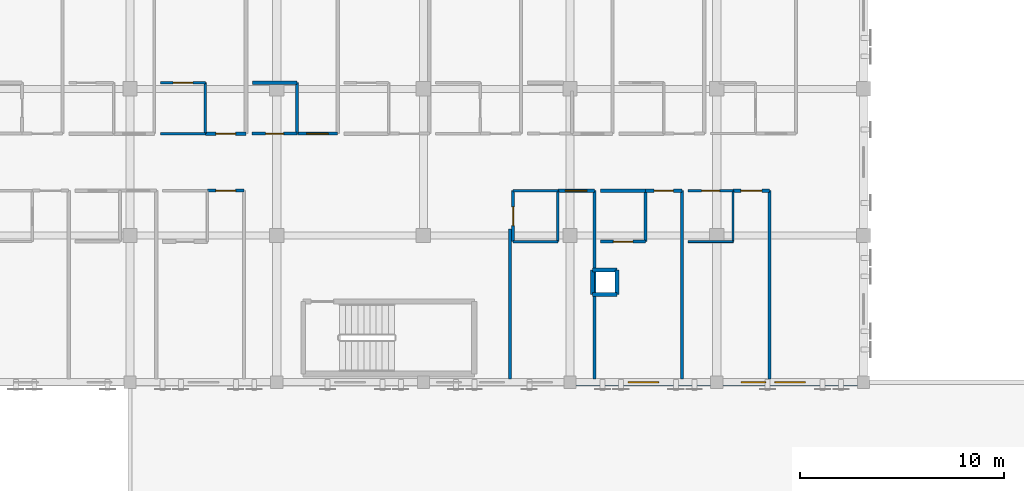
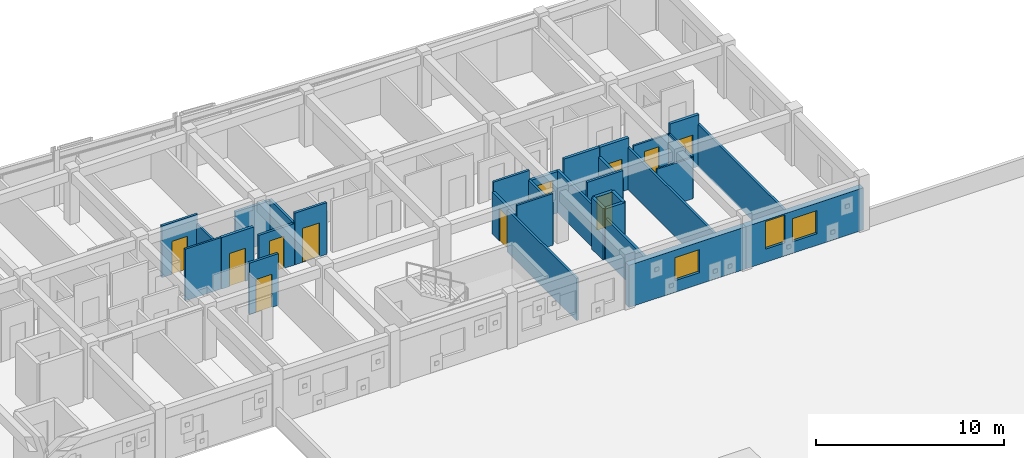
# One storey, part 44 of 50: 32 walls, 11 doors, 3 windows, 14 openings.
"""IFC4 building model written with IfcOpenShell, lengths in metres."""

from ifc_helpers import new_model, si_unit, direction, frame, frame_2d, origin, place, context, subcontext, project, spatial, rectangle, extrude, material, layer, layer_set, type_object, element, fill, save


model = new_model("IFC4")

# Units and contexts
model_context = context("Model", 3, precision=1e-05, world=origin(), true_north=direction((0.0, 1.0)))
body_context = subcontext(model_context, "Body", "Model", "MODEL_VIEW")
ifc_project = project(units=[si_unit("LENGTHUNIT", "METRE"), si_unit("AREAUNIT", "SQUARE_METRE"), si_unit("VOLUMEUNIT", "CUBIC_METRE"), si_unit("PLANEANGLEUNIT", "RADIAN"), si_unit("MASSUNIT", "GRAM", prefix="KILO")], contexts=[model_context])

# Site, building, storey
site_placement = place(None, origin())
site = spatial("IfcSite", under=ifc_project, at=site_placement, CompositionType="ELEMENT")
building_placement = place(site_placement, origin())
building = spatial("IfcBuilding", under=site, at=building_placement, Name="Carrowvane Square Congress Hotel", CompositionType="ELEMENT")
storey_placement = place(building_placement, frame((0.0, 0.0, 22.800048828125)))
storey = spatial("IfcBuildingStorey", under=building, at=storey_placement, Name="L05", CompositionType="ELEMENT", Elevation=22.800048828125)

# Wall, openings, windows
ifc_material_1 = material(Name="Glazed terracotta rainscreen", Category="masonry")
ifc_layer_1 = layer(ifc_material_1, 0.360107421875)
ifc_layer_set_1 = layer_set([ifc_layer_1], Name="Glazed terracotta rainscreen")
wall_type_1 = type_object("IfcWallType", Name="WL-EXT-TC360", PredefinedType="STANDARD", material=ifc_layer_set_1)
wall_1_placement = place(storey_placement, frame((162.800048828125, 91.800048828125, 0.0), z_axis=(0.0, 0.0, 1.0), x_axis=(-1.0, 0.0, 0.0)))
wall_1 = element("IfcWall", 1, at=wall_1_placement, inside=storey, type_object=wall_type_1, Name="L05 exterior facade wall 458", PredefinedType="STANDARD", context=body_context, shape_type="SweptSolid", body=[
    extrude(rectangle(XDim=7.199951171875, YDim=0.360107421875, at=frame_2d((3.60009765625, 0.0))), origin(), (0.0, 0.0, 1.0), 2.73486328125),
])
opening_1_placement = place(wall_1_placement, frame((2.85009765625, 0.0, 0.75)))
opening_1 = element("IfcOpeningElement", 2, at=opening_1_placement, cuts=wall_1, Name="Opening W-15", PredefinedType="OPENING", context=body_context, shape_type="SweptSolid", body=[
    extrude(rectangle(XDim=1.5, YDim=1.5, at=frame_2d((0.75, 0.75))), frame((0.0, 0.18994140625, 0.0), z_axis=(0.0, -1.0, 0.0), x_axis=(1.0, 0.0, 0.0)), (0.0, 0.0, 1.0), 0.380126953125),
])
opening_2_placement = place(wall_1_placement, frame((4.799072265625, 0.0, 0.85009765625)))
opening_2 = element("IfcOpeningElement", 3, at=opening_2_placement, cuts=wall_1, Name="Opening W-01", PredefinedType="OPENING", context=body_context, shape_type="SweptSolid", body=[
    extrude(rectangle(XDim=1.199951171875, YDim=1.800048828125, at=frame_2d((0.60009765625, 0.89990234375))), frame((0.0, 0.18994140625, 0.0), z_axis=(0.0, -1.0, 0.0), x_axis=(1.0, 0.0, 0.0)), (0.0, 0.0, 1.0), 0.380126953125),
])
ifc_material_2 = material(Name="Double-glazed low-E glass", Category="glass")
window_type_1 = type_object("IfcWindowType", Name="WIN-01", PartitioningType="SINGLE_PANEL", PredefinedType="WINDOW", material=ifc_material_2)
window_1_placement = place(opening_2_placement, origin())
window_1 = element("IfcWindow", 4, at=window_1_placement, inside=storey, type_object=window_type_1, Name="L05 guestroom daylight window L05-RM-S12", OverallHeight=1.800048828125, OverallWidth=1.199951171875, PartitioningType="SINGLE_PANEL", PredefinedType="WINDOW", context=body_context, shape_type="SweptSolid", body=[
    extrude(rectangle(XDim=1.199951171875, YDim=1.800048828125, at=frame_2d((0.60009765625, 0.89990234375))), frame((0.0, 0.030029296875, 0.0), z_axis=(0.0, -1.0, 0.0), x_axis=(1.0, 0.0, 0.0)), (0.0, 0.0, 1.0), 0.06005859375),
])
fill(opening_2, window_1)
ifc_material_3 = material(Name="Double-glazed low-E glass", Category="glass")
window_type_2 = type_object("IfcWindowType", Name="WIN-15", PartitioningType="SINGLE_PANEL", PredefinedType="WINDOW", material=ifc_material_3)
window_2_placement = place(opening_1_placement, origin())
window_2 = element("IfcWindow", 5, at=window_2_placement, inside=storey, type_object=window_type_2, Name="L05 facade window 286", OverallHeight=1.5, OverallWidth=1.5, PartitioningType="SINGLE_PANEL", PredefinedType="WINDOW", context=body_context, shape_type="SweptSolid", body=[
    extrude(rectangle(XDim=1.5, YDim=1.5, at=frame_2d((0.75, 0.75))), frame((0.0, 0.030029296875, 0.0), z_axis=(0.0, -1.0, 0.0), x_axis=(1.0, 0.0, 0.0)), (0.0, 0.0, 1.0), 0.06005859375),
])
fill(opening_1, window_2)

# Wall, opening, window
wall_2_placement = place(storey_placement, frame((155.60009765625, 91.800048828125, 0.0), z_axis=(0.0, 0.0, 1.0), x_axis=(-1.0, 0.0, 0.0)))
wall_2 = element("IfcWall", 6, at=wall_2_placement, inside=storey, type_object=wall_type_1, Name="L05 exterior facade wall 459", PredefinedType="STANDARD", context=body_context, shape_type="SweptSolid", body=[
    extrude(rectangle(XDim=7.2001953125, YDim=0.360107421875, at=frame_2d((3.60009765625, 0.0))), origin(), (0.0, 0.0, 1.0), 2.73486328125),
])
opening_3_placement = place(wall_2_placement, frame((2.85009765625, 0.0, 0.75)))
opening_3 = element("IfcOpeningElement", 7, at=opening_3_placement, cuts=wall_2, Name="Opening W-15", PredefinedType="OPENING", context=body_context, shape_type="SweptSolid", body=[
    extrude(rectangle(XDim=1.5, YDim=1.5, at=frame_2d((0.75, 0.75))), frame((0.0, 0.18994140625, 0.0), z_axis=(0.0, -1.0, 0.0), x_axis=(1.0, 0.0, 0.0)), (0.0, 0.0, 1.0), 0.380126953125),
])
window_3_placement = place(opening_3_placement, origin())
window_3 = element("IfcWindow", 8, at=window_3_placement, inside=storey, type_object=window_type_2, Name="L05 facade window 287", OverallHeight=1.5, OverallWidth=1.5, PartitioningType="SINGLE_PANEL", PredefinedType="WINDOW", context=body_context, shape_type="SweptSolid", body=[
    extrude(rectangle(XDim=1.5, YDim=1.5, at=frame_2d((0.75, 0.75))), frame((0.0, 0.030029296875, 0.0), z_axis=(0.0, -1.0, 0.0), x_axis=(1.0, 0.0, 0.0)), (0.0, 0.0, 1.0), 0.06005859375),
])
fill(opening_3, window_3)

# Walls
ifc_material_4 = material(Name="Acoustic gypsum board", Category="gypsum")
ifc_layer_2 = layer(ifc_material_4, 0.155029296875)
ifc_layer_set_2 = layer_set([ifc_layer_2], Name="Acoustic gypsum board")
wall_type_2 = type_object("IfcWallType", Name="WL-FIR-155", PredefinedType="PARTITIONING", material=ifc_layer_set_2)
for number, where, z_axis, x_axis, name in (
    (9, (152.10009765625, 101.199951171875, 0.0), (0.0, 0.0, 1.0), (0.0, -1.0, 0.0), "L05 En-suite Bathroom 0511 partition"),
    (10, (135.0, 106.5, 0.0), (0.0, 0.0, 1.0), (0.0, -1.0, 0.0), "L05 En-suite Bathroom 0530 partition"),
):
    element("IfcWall", number, at=place(storey_placement, frame(where, z_axis=z_axis, x_axis=x_axis)), inside=storey, type_object=wall_type_2, Name=name, PredefinedType="PARTITIONING", context=body_context, shape_type="SweptSolid", body=[
        extrude(rectangle(XDim=2.5, YDim=0.155029296875, at=frame_2d((1.25, 0.0))), origin(), (0.0, 0.0, 1.0), 2.73486328125),
    ])

# Wall, opening, door
wall_3_placement = place(storey_placement, frame((136.989990234375, 104.0, 0.0), z_axis=(0.0, 0.0, 1.0), x_axis=(-1.0, 0.0, 0.0)))
wall_3 = element("IfcWall", 11, at=wall_3_placement, inside=storey, type_object=wall_type_2, Name="L05 Parkview Guest Bedroom 0530 partition", PredefinedType="PARTITIONING", context=body_context, shape_type="SweptSolid", body=[
    extrude(rectangle(XDim=1.97998046875, YDim=0.155029296875, at=frame_2d((0.989990234375, 0.0))), origin(), (0.0, 0.0, 1.0), 3.349853515625),
])
opening_4_placement = place(wall_3_placement, frame((0.4599609375, 0.0, 0.0)))
opening_4 = element("IfcOpeningElement", 12, at=opening_4_placement, cuts=wall_3, Name="Opening FD-09", PredefinedType="OPENING", context=body_context, shape_type="SweptSolid", body=[
    extrude(rectangle(XDim=1.06005859375, YDim=2.199951171875, at=frame_2d((0.530029296875, 1.10009765625))), frame((0.0, 0.08740234375, 0.0), z_axis=(0.0, -1.0, 0.0), x_axis=(1.0, 0.0, 0.0)), (0.0, 0.0, 1.0), 0.175048828125),
])
ifc_material_5 = material(Name="European oak timber", Category="wood")
door_type_1 = type_object("IfcDoorType", Name="DR-FD30-1060x2200", OperationType="NOTDEFINED", PredefinedType="DOOR", material=ifc_material_5)
door_1_placement = place(opening_4_placement, origin())
door_1 = element("IfcDoor", 13, at=door_1_placement, inside=storey, type_object=door_type_1, Name="L05 Parkview Guest Bedroom 0530 entrance door", OperationType="SINGLE_SWING_RIGHT", OverallHeight=2.199951171875, OverallWidth=1.06005859375, PredefinedType="DOOR", context=body_context, shape_type="SweptSolid", body=[
    extrude(rectangle(XDim=1.06005859375, YDim=2.199951171875, at=frame_2d((0.530029296875, 1.10009765625))), frame((0.0, 0.02490234375, 0.0), z_axis=(0.0, -1.0, 0.0), x_axis=(1.0, 0.0, 0.0)), (0.0, 0.0, 1.0), 0.050048828125),
])
fill(opening_4, door_1)

# Wall
ifc_material_6 = material(Name="Acoustic gypsum board", Category="gypsum")
ifc_layer_3 = layer(ifc_material_6, 0.169921875)
ifc_layer_set_3 = layer_set([ifc_layer_3], Name="Acoustic gypsum board")
wall_type_3 = type_object("IfcWallType", Name="WL-FIR-170", PredefinedType="PARTITIONING", material=ifc_layer_set_3)
wall_4_placement = place(storey_placement, frame((149.89990234375, 101.199951171875, 0.0), z_axis=(0.0, 0.0, 1.0), x_axis=(1.0, 0.0, 0.0)))
element("IfcWall", 14, at=wall_4_placement, inside=storey, type_object=wall_type_3, Name="L05 En-suite Bathroom 0511 partition", PredefinedType="PARTITIONING", context=body_context, shape_type="SweptSolid", body=[
    extrude(rectangle(XDim=2.2001953125, YDim=0.169921875, at=frame_2d((1.10009765625, 0.0))), origin(), (0.0, 0.0, 1.0), 3.349853515625),
])

# Wall, opening, door
wall_5_placement = place(storey_placement, frame((132.489990234375, 104.0, 0.0), z_axis=(0.0, 0.0, 1.0), x_axis=(-1.0, 0.0, 0.0)))
wall_5 = element("IfcWall", 15, at=wall_5_placement, inside=storey, type_object=wall_type_3, Name="L05 Parkview Guest Bedroom 0529 partition", PredefinedType="PARTITIONING", context=body_context, shape_type="SweptSolid", body=[
    extrude(rectangle(XDim=1.97998046875, YDim=0.169921875, at=frame_2d((0.989990234375, 0.0))), origin(), (0.0, 0.0, 1.0), 3.349853515625),
])
opening_5_placement = place(wall_5_placement, frame((0.5, 0.0, 0.0)))
opening_5 = element("IfcOpeningElement", 16, at=opening_5_placement, cuts=wall_5, Name="Opening FD-07", PredefinedType="OPENING", context=body_context, shape_type="SweptSolid", body=[
    extrude(rectangle(XDim=0.97998046875, YDim=2.14990234375, at=frame_2d((0.489990234375, 1.074951171875))), frame((0.0, 0.094970703125, 0.0), z_axis=(0.0, -1.0, 0.0), x_axis=(1.0, 0.0, 0.0)), (0.0, 0.0, 1.0), 0.18994140625),
])
ifc_material_7 = material(Name="European oak timber", Category="wood")
door_type_2 = type_object("IfcDoorType", Name="DR-FD30-0980x2150", OperationType="NOTDEFINED", PredefinedType="DOOR", material=ifc_material_7)
door_2_placement = place(opening_5_placement, origin())
door_2 = element("IfcDoor", 17, at=door_2_placement, inside=storey, type_object=door_type_2, Name="L05 Parkview Guest Bedroom 0529 entrance door", OperationType="SINGLE_SWING_RIGHT", OverallHeight=2.14990234375, OverallWidth=0.97998046875, PredefinedType="DOOR", context=body_context, shape_type="SweptSolid", body=[
    extrude(rectangle(XDim=0.97998046875, YDim=2.14990234375, at=frame_2d((0.489990234375, 1.074951171875))), frame((0.0, 0.02490234375, 0.0), z_axis=(0.0, -1.0, 0.0), x_axis=(1.0, 0.0, 0.0)), (0.0, 0.0, 1.0), 0.050048828125),
])
fill(opening_5, door_2)

# Wall
wall_6_placement = place(storey_placement, frame((132.800048828125, 106.5, 0.0), z_axis=(0.0, 0.0, 1.0), x_axis=(1.0, 0.0, 0.0)))
element("IfcWall", 18, at=wall_6_placement, inside=storey, type_object=wall_type_3, Name="L05 En-suite Bathroom 0530 partition", PredefinedType="PARTITIONING", context=body_context, shape_type="SweptSolid", body=[
    extrude(rectangle(XDim=2.199951171875, YDim=0.169921875, at=frame_2d((1.10009765625, 0.0))), origin(), (0.0, 0.0, 1.0), 2.68505859375),
])

# Wall, opening, door
ifc_material_8 = material(Name="Acoustic gypsum board", Category="gypsum")
ifc_layer_4 = layer(ifc_material_8, 0.18505859375)
ifc_layer_set_4 = layer_set([ifc_layer_4], Name="Acoustic gypsum board")
wall_type_4 = type_object("IfcWallType", Name="WL-FIR-185", PredefinedType="PARTITIONING", material=ifc_layer_set_4)
wall_7_placement = place(storey_placement, frame((147.81005859375, 101.199951171875, 0.0), z_axis=(0.0, 0.0, 1.0), x_axis=(1.0, 0.0, 0.0)))
wall_7 = element("IfcWall", 19, at=wall_7_placement, inside=storey, type_object=wall_type_4, Name="L05 Hotel Guest Bedroom 0510 partition", PredefinedType="PARTITIONING", context=body_context, shape_type="SweptSolid", body=[
    extrude(rectangle(XDim=1.780029296875, YDim=0.18505859375, at=frame_2d((0.89013671875, 0.0))), origin(), (0.0, 0.0, 1.0), 2.68505859375),
])
opening_6_placement = place(wall_7_placement, frame((0.360107421875, 0.0, 0.0)))
opening_6 = element("IfcOpeningElement", 20, at=opening_6_placement, cuts=wall_7, Name="Opening FD-09", PredefinedType="OPENING", context=body_context, shape_type="SweptSolid", body=[
    extrude(rectangle(XDim=1.06005859375, YDim=2.199951171875, at=frame_2d((0.530029296875, 1.10009765625))), frame((0.0, 0.1025390625, 0.0), z_axis=(0.0, -1.0, 0.0), x_axis=(1.0, 0.0, 0.0)), (0.0, 0.0, 1.0), 0.205078125),
])
door_3_placement = place(opening_6_placement, origin())
door_3 = element("IfcDoor", 21, at=door_3_placement, inside=storey, type_object=door_type_1, Name="L05 Hotel Guest Bedroom 0510 entrance door", OperationType="SINGLE_SWING_RIGHT", OverallHeight=2.199951171875, OverallWidth=1.06005859375, PredefinedType="DOOR", context=body_context, shape_type="SweptSolid", body=[
    extrude(rectangle(XDim=1.06005859375, YDim=2.199951171875, at=frame_2d((0.530029296875, 1.10009765625))), frame((0.0, 0.02490234375, 0.0), z_axis=(0.0, -1.0, 0.0), x_axis=(1.0, 0.0, 0.0)), (0.0, 0.0, 1.0), 0.050048828125),
])
fill(opening_6, door_3)

wall_8_placement = place(storey_placement, frame((152.110107421875, 101.199951171875, 0.0), z_axis=(0.0, 0.0, 1.0), x_axis=(1.0, 0.0, 0.0)))
wall_8 = element("IfcWall", 22, at=wall_8_placement, inside=storey, type_object=wall_type_4, Name="L05 Hotel Guest Bedroom 0511 partition", PredefinedType="PARTITIONING", context=body_context, shape_type="SweptSolid", body=[
    extrude(rectangle(XDim=1.77978515625, YDim=0.18505859375, at=frame_2d((0.889892578125, 0.0))), origin(), (0.0, 0.0, 1.0), 3.349853515625),
])
opening_7_placement = place(wall_8_placement, frame((0.4150390625, 0.0, 0.0)))
opening_7 = element("IfcOpeningElement", 23, at=opening_7_placement, cuts=wall_8, Name="Opening FD-06", PredefinedType="OPENING", context=body_context, shape_type="SweptSolid", body=[
    extrude(rectangle(XDim=0.949951171875, YDim=2.10009765625, at=frame_2d((0.47509765625, 1.050048828125))), frame((0.0, 0.1025390625, 0.0), z_axis=(0.0, -1.0, 0.0), x_axis=(1.0, 0.0, 0.0)), (0.0, 0.0, 1.0), 0.205078125),
])
ifc_material_9 = material(Name="European oak timber", Category="wood")
door_type_3 = type_object("IfcDoorType", Name="DR-FD30-0950x2100", OperationType="NOTDEFINED", PredefinedType="DOOR", material=ifc_material_9)
door_4_placement = place(opening_7_placement, origin())
door_4 = element("IfcDoor", 24, at=door_4_placement, inside=storey, type_object=door_type_3, Name="L05 Hotel Guest Bedroom 0511 entrance door", OperationType="SINGLE_SWING_RIGHT", OverallHeight=2.10009765625, OverallWidth=0.949951171875, PredefinedType="DOOR", context=body_context, shape_type="SweptSolid", body=[
    extrude(rectangle(XDim=0.949951171875, YDim=2.10009765625, at=frame_2d((0.47509765625, 1.050048828125))), frame((0.0, 0.02490234375, 0.0), z_axis=(0.0, -1.0, 0.0), x_axis=(1.0, 0.0, 0.0)), (0.0, 0.0, 1.0), 0.050048828125),
])
fill(opening_7, door_4)

wall_9_placement = place(storey_placement, frame((156.409912109375, 101.199951171875, 0.0), z_axis=(0.0, 0.0, 1.0), x_axis=(1.0, 0.0, 0.0)))
wall_9 = element("IfcWall", 25, at=wall_9_placement, inside=storey, type_object=wall_type_4, Name="L05 Hotel Guest Bedroom 0512 partition", PredefinedType="PARTITIONING", context=body_context, shape_type="SweptSolid", body=[
    extrude(rectangle(XDim=1.780029296875, YDim=0.18505859375, at=frame_2d((0.89013671875, 0.0))), origin(), (0.0, 0.0, 1.0), 3.349853515625),
])
opening_8_placement = place(wall_9_placement, frame((0.3798828125, 0.0, 0.0)))
opening_8 = element("IfcOpeningElement", 26, at=opening_8_placement, cuts=wall_9, Name="Opening FD-08", PredefinedType="OPENING", context=body_context, shape_type="SweptSolid", body=[
    extrude(rectangle(XDim=1.02001953125, YDim=2.14990234375, at=frame_2d((0.510009765625, 1.074951171875))), frame((0.0, 0.1025390625, 0.0), z_axis=(0.0, -1.0, 0.0), x_axis=(1.0, 0.0, 0.0)), (0.0, 0.0, 1.0), 0.205078125),
])
ifc_material_10 = material(Name="European oak timber", Category="wood")
door_type_4 = type_object("IfcDoorType", Name="DR-FD30-1020x2150", OperationType="NOTDEFINED", PredefinedType="DOOR", material=ifc_material_10)
door_5_placement = place(opening_8_placement, origin())
door_5 = element("IfcDoor", 27, at=door_5_placement, inside=storey, type_object=door_type_4, Name="L05 Hotel Guest Bedroom 0512 entrance door", OperationType="SINGLE_SWING_RIGHT", OverallHeight=2.14990234375, OverallWidth=1.02001953125, PredefinedType="DOOR", context=body_context, shape_type="SweptSolid", body=[
    extrude(rectangle(XDim=1.02001953125, YDim=2.14990234375, at=frame_2d((0.510009765625, 1.074951171875))), frame((0.0, 0.02490234375, 0.0), z_axis=(0.0, -1.0, 0.0), x_axis=(1.0, 0.0, 0.0)), (0.0, 0.0, 1.0), 0.050048828125),
])
fill(opening_8, door_5)

# Walls
ifc_material_11 = material(Name="Standing-seam zinc cladding", Category="metal")
ifc_layer_5 = layer(ifc_material_11, 0.195068359375)
ifc_layer_set_5 = layer_set([ifc_layer_5], Name="Standing-seam zinc cladding")
wall_type_5 = type_object("IfcWallType", Name="WL-PAR-195", PredefinedType="PARAPET", material=ifc_layer_set_5)
for number, where, z_axis, x_axis, name in (
    (28, (149.5, 96.10009765625, 0.0), (0.0, 0.0, 1.0), (1.0, 0.0, 0.0), "L05 service riser RSR-V5E enclosure S"),
    (29, (150.699951171875, 96.10009765625, 0.0), (0.0, 0.0, 1.0), (0.0, 1.0, 0.0), "L05 service riser RSR-V5E enclosure E"),
    (30, (150.699951171875, 97.300048828125, 0.0), (0.0, 0.0, 1.0), (-1.0, 0.0, 0.0), "L05 service riser RSR-V5E enclosure N"),
    (31, (149.5, 97.300048828125, 0.0), (0.0, 0.0, 1.0), (0.0, -1.0, 0.0), "L05 service riser RSR-V5E enclosure W"),
):
    element("IfcWall", number, at=place(storey_placement, frame(where, z_axis=z_axis, x_axis=x_axis)), inside=storey, type_object=wall_type_5, Name=name, PredefinedType="PARAPET", context=body_context, shape_type="SweptSolid", body=[
        extrude(rectangle(XDim=1.199951171875, YDim=0.195068359375, at=frame_2d((0.60009765625, 0.0))), origin(), (0.0, 0.0, 1.0), 3.349853515625),
    ])
ifc_material_12 = material(Name="Acoustic gypsum board", Category="gypsum")
ifc_layer_6 = layer(ifc_material_12, 0.097900390625)
ifc_layer_set_6 = layer_set([ifc_layer_6], Name="Acoustic gypsum board")
wall_type_6 = type_object("IfcWallType", Name="WL-PRT-098", PredefinedType="PARTITIONING", material=ifc_layer_set_6)
wall_10_placement = place(storey_placement, frame((156.39990234375, 98.699951171875, 0.0), z_axis=(0.0, 0.0, 1.0), x_axis=(-1.0, 0.0, 0.0)))
element("IfcWall", 32, at=wall_10_placement, inside=storey, type_object=wall_type_6, Name="L05 En-suite Bathroom 0512 partition", PredefinedType="PARTITIONING", context=body_context, shape_type="SweptSolid", body=[
    extrude(rectangle(XDim=2.199951171875, YDim=0.097900390625, at=frame_2d((1.10009765625, 0.0))), origin(), (0.0, 0.0, 1.0), 2.68505859375),
])
ifc_material_13 = material(Name="Acoustic gypsum board", Category="gypsum")
ifc_layer_7 = layer(ifc_material_13, 0.10791015625)
ifc_layer_set_7 = layer_set([ifc_layer_7], Name="Acoustic gypsum board")
wall_type_7 = type_object("IfcWallType", Name="WL-PRT-108", PredefinedType="PARTITIONING", material=ifc_layer_set_7)
wall_11_placement = place(storey_placement, frame((156.39990234375, 101.199951171875, 0.0), z_axis=(0.0, 0.0, 1.0), x_axis=(0.0, -1.0, 0.0)))
element("IfcWall", 33, at=wall_11_placement, inside=storey, type_object=wall_type_7, Name="L05 En-suite Bathroom 0512 partition", PredefinedType="PARTITIONING", context=body_context, shape_type="SweptSolid", body=[
    extrude(rectangle(XDim=2.5, YDim=0.10791015625, at=frame_2d((1.25, 0.0))), origin(), (0.0, 0.0, 1.0), 2.73486328125),
])
ifc_material_14 = material(Name="Acoustic gypsum board", Category="gypsum")
ifc_layer_8 = layer(ifc_material_14, 0.117919921875)
ifc_layer_set_8 = layer_set([ifc_layer_8], Name="Acoustic gypsum board")
wall_type_8 = type_object("IfcWallType", Name="WL-PRT-118", PredefinedType="PARTITIONING", material=ifc_layer_set_8)
wall_12_placement = place(storey_placement, frame((147.800048828125, 98.699951171875, 0.0), z_axis=(0.0, 0.0, 1.0), x_axis=(-1.0, 0.0, 0.0)))
element("IfcWall", 34, at=wall_12_placement, inside=storey, type_object=wall_type_8, Name="L05 En-suite Bathroom 0510 partition", PredefinedType="PARTITIONING", context=body_context, shape_type="SweptSolid", body=[
    extrude(rectangle(XDim=2.199951171875, YDim=0.117919921875, at=frame_2d((1.10009765625, 0.0))), origin(), (0.0, 0.0, 1.0), 3.349853515625),
])

# Wall, opening, door
wall_13_placement = place(storey_placement, frame((154.199951171875, 101.199951171875, 0.0), z_axis=(0.0, 0.0, 1.0), x_axis=(1.0, 0.0, 0.0)))
wall_13 = element("IfcWall", 35, at=wall_13_placement, inside=storey, type_object=wall_type_8, Name="L05 En-suite Bathroom 0512 partition", PredefinedType="PARTITIONING", context=body_context, shape_type="SweptSolid", body=[
    extrude(rectangle(XDim=2.199951171875, YDim=0.117919921875, at=frame_2d((1.10009765625, 0.0))), origin(), (0.0, 0.0, 1.0), 2.68505859375),
])
opening_9_placement = place(wall_13_placement, frame((0.655029296875, 0.0, 0.0)))
opening_9 = element("IfcOpeningElement", 36, at=opening_9_placement, cuts=wall_13, Name="Opening ID-16", PredefinedType="OPENING", context=body_context, shape_type="SweptSolid", body=[
    extrude(rectangle(XDim=0.889892578125, YDim=2.090087890625, at=frame_2d((0.44482421875, 1.044921875))), frame((0.0, 0.06884765625, 0.0), z_axis=(0.0, -1.0, 0.0), x_axis=(1.0, 0.0, 0.0)), (0.0, 0.0, 1.0), 0.137939453125),
])
ifc_material_15 = material(Name="European oak timber", Category="wood")
door_type_5 = type_object("IfcDoorType", Name="DR-INT-0890x2090", OperationType="NOTDEFINED", PredefinedType="DOOR", material=ifc_material_15)
door_6_placement = place(opening_9_placement, origin())
door_6 = element("IfcDoor", 37, at=door_6_placement, inside=storey, type_object=door_type_5, Name="L05 En-suite Bathroom 0512 door", OperationType="SINGLE_SWING_LEFT", OverallHeight=2.090087890625, OverallWidth=0.889892578125, PredefinedType="DOOR", context=body_context, shape_type="SweptSolid", body=[
    extrude(rectangle(XDim=0.889892578125, YDim=2.090087890625, at=frame_2d((0.44482421875, 1.044921875))), frame((0.0, 0.02490234375, 0.0), z_axis=(0.0, -1.0, 0.0), x_axis=(1.0, 0.0, 0.0)), (0.0, 0.0, 1.0), 0.050048828125),
])
fill(opening_9, door_6)

# Walls
wall_14_placement = place(storey_placement, frame((130.5, 104.0, 0.0), z_axis=(0.0, 0.0, 1.0), x_axis=(-1.0, 0.0, 0.0)))
element("IfcWall", 38, at=wall_14_placement, inside=storey, type_object=wall_type_8, Name="L05 En-suite Bathroom 0529 partition", PredefinedType="PARTITIONING", context=body_context, shape_type="SweptSolid", body=[
    extrude(rectangle(XDim=2.199951171875, YDim=0.117919921875, at=frame_2d((1.10009765625, 0.0))), origin(), (0.0, 0.0, 1.0), 3.349853515625),
])
ifc_material_16 = material(Name="Acoustic gypsum board", Category="gypsum")
ifc_layer_9 = layer(ifc_material_16, 0.1279296875)
ifc_layer_set_9 = layer_set([ifc_layer_9], Name="Acoustic gypsum board")
wall_type_9 = type_object("IfcWallType", Name="WL-PRT-128", PredefinedType="PARTITIONING", material=ifc_layer_set_9)
for number, where, z_axis, x_axis, name in (
    (39, (147.800048828125, 101.199951171875, 0.0), (0.0, 0.0, 1.0), (0.0, -1.0, 0.0), "L05 En-suite Bathroom 0510 partition"),
    (40, (130.5, 106.5, 0.0), (0.0, 0.0, 1.0), (0.0, -1.0, 0.0), "L05 En-suite Bathroom 0529 partition"),
):
    element("IfcWall", number, at=place(storey_placement, frame(where, z_axis=z_axis, x_axis=x_axis)), inside=storey, type_object=wall_type_9, Name=name, PredefinedType="PARTITIONING", context=body_context, shape_type="SweptSolid", body=[
        extrude(rectangle(XDim=2.5, YDim=0.1279296875, at=frame_2d((1.25, 0.0))), origin(), (0.0, 0.0, 1.0), 2.73486328125),
    ])
ifc_material_17 = material(Name="Acoustic gypsum board", Category="gypsum")
ifc_layer_10 = layer(ifc_material_17, 0.137939453125)
ifc_layer_set_10 = layer_set([ifc_layer_10], Name="Acoustic gypsum board")
wall_type_10 = type_object("IfcWallType", Name="WL-PRT-138", PredefinedType="PARTITIONING", material=ifc_layer_set_10)
wall_15_placement = place(storey_placement, frame((145.60009765625, 101.199951171875, 0.0), z_axis=(0.0, 0.0, 1.0), x_axis=(1.0, 0.0, 0.0)))
element("IfcWall", 41, at=wall_15_placement, inside=storey, type_object=wall_type_10, Name="L05 En-suite Bathroom 0510 partition", PredefinedType="PARTITIONING", context=body_context, shape_type="SweptSolid", body=[
    extrude(rectangle(XDim=2.199951171875, YDim=0.137939453125, at=frame_2d((1.10009765625, 0.0))), origin(), (0.0, 0.0, 1.0), 3.349853515625),
])
wall_16_placement = place(storey_placement, frame((145.449951171875, 91.9599609375, 0.0), z_axis=(0.0, 0.0, 1.0), x_axis=(0.0, 1.0, 0.0)))
element("IfcWall", 42, at=wall_16_placement, inside=storey, type_object=wall_type_10, Name="L05 Hotel Guest Bedroom 0510 partition", PredefinedType="PARTITIONING", context=body_context, shape_type="SweptSolid", body=[
    extrude(rectangle(XDim=7.35009765625, YDim=0.137939453125, at=frame_2d((3.675048828125, 0.0))), origin(), (0.0, 0.0, 1.0), 2.73486328125),
])
for number, where, z_axis, x_axis, name in (
    (43, (153.889892578125, 101.199951171875, 0.0), (0.0, 0.0, 1.0), (0.0, -1.0, 0.0), "L05 Hotel Guest Bedroom 0511 partition"),
    (44, (158.18994140625, 101.199951171875, 0.0), (0.0, 0.0, 1.0), (0.0, -1.0, 0.0), "L05 Hotel Guest Bedroom 0512 partition"),
):
    element("IfcWall", number, at=place(storey_placement, frame(where, z_axis=z_axis, x_axis=x_axis)), inside=storey, type_object=wall_type_10, Name=name, PredefinedType="PARTITIONING", context=body_context, shape_type="SweptSolid", body=[
        extrude(rectangle(XDim=9.239990234375, YDim=0.137939453125, at=frame_2d((4.6201171875, 0.0))), origin(), (0.0, 0.0, 1.0), 2.73486328125),
    ])

# Wall, opening, door
wall_17_placement = place(storey_placement, frame((128.300048828125, 106.5, 0.0), z_axis=(0.0, 0.0, 1.0), x_axis=(1.0, 0.0, 0.0)))
wall_17 = element("IfcWall", 45, at=wall_17_placement, inside=storey, type_object=wall_type_10, Name="L05 En-suite Bathroom 0529 partition", PredefinedType="PARTITIONING", context=body_context, shape_type="SweptSolid", body=[
    extrude(rectangle(XDim=2.199951171875, YDim=0.137939453125, at=frame_2d((1.10009765625, 0.0))), origin(), (0.0, 0.0, 1.0), 3.349853515625),
])
opening_10_placement = place(wall_17_placement, frame((0.6201171875, 0.0, 0.0)))
opening_10 = element("IfcOpeningElement", 46, at=opening_10_placement, cuts=wall_17, Name="Opening ID-05", PredefinedType="OPENING", context=body_context, shape_type="SweptSolid", body=[
    extrude(rectangle(XDim=0.9599609375, YDim=2.139892578125, at=frame_2d((0.47998046875, 1.06982421875))), frame((0.0, 0.078857421875, 0.0), z_axis=(0.0, -1.0, 0.0), x_axis=(1.0, 0.0, 0.0)), (0.0, 0.0, 1.0), 0.157958984375),
])
ifc_material_18 = material(Name="European oak timber", Category="wood")
door_type_6 = type_object("IfcDoorType", Name="DR-INT-0960x2140", OperationType="NOTDEFINED", PredefinedType="DOOR", material=ifc_material_18)
door_7_placement = place(opening_10_placement, origin())
door_7 = element("IfcDoor", 47, at=door_7_placement, inside=storey, type_object=door_type_6, Name="L05 En-suite Bathroom 0529 door", OperationType="SINGLE_SWING_LEFT", OverallHeight=2.139892578125, OverallWidth=0.9599609375, PredefinedType="DOOR", context=body_context, shape_type="SweptSolid", body=[
    extrude(rectangle(XDim=0.9599609375, YDim=2.139892578125, at=frame_2d((0.47998046875, 1.06982421875))), frame((0.0, 0.02490234375, 0.0), z_axis=(0.0, -1.0, 0.0), x_axis=(1.0, 0.0, 0.0)), (0.0, 0.0, 1.0), 0.050048828125),
])
fill(opening_10, door_7)

ifc_material_19 = material(Name="Acoustic gypsum board", Category="gypsum")
ifc_layer_11 = layer(ifc_material_19, 0.14794921875)
ifc_layer_set_11 = layer_set([ifc_layer_11], Name="Acoustic gypsum board")
wall_type_11 = type_object("IfcWallType", Name="WL-PRT-148", PredefinedType="PARTITIONING", material=ifc_layer_set_11)
wall_18_placement = place(storey_placement, frame((130.610107421875, 101.199951171875, 0.0), z_axis=(0.0, 0.0, 1.0), x_axis=(1.0, 0.0, 0.0)))
wall_18 = element("IfcWall", 48, at=wall_18_placement, inside=storey, type_object=wall_type_11, Name="L05 Hotel Guest Bedroom 0509 partition", PredefinedType="PARTITIONING", context=body_context, shape_type="SweptSolid", body=[
    extrude(rectangle(XDim=1.77978515625, YDim=0.14794921875, at=frame_2d((0.889892578125, 0.0))), origin(), (0.0, 0.0, 1.0), 3.349853515625),
])
opening_11_placement = place(wall_18_placement, frame((0.39990234375, 0.0, 0.0)))
opening_11 = element("IfcOpeningElement", 49, at=opening_11_placement, cuts=wall_18, Name="Opening FD-07", PredefinedType="OPENING", context=body_context, shape_type="SweptSolid", body=[
    extrude(rectangle(XDim=0.97998046875, YDim=2.14990234375, at=frame_2d((0.489990234375, 1.074951171875))), frame((0.0, 0.083984375, 0.0), z_axis=(0.0, -1.0, 0.0), x_axis=(1.0, 0.0, 0.0)), (0.0, 0.0, 1.0), 0.16796875),
])
door_8_placement = place(opening_11_placement, origin())
door_8 = element("IfcDoor", 50, at=door_8_placement, inside=storey, type_object=door_type_2, Name="L05 Hotel Guest Bedroom 0509 entrance door", OperationType="SINGLE_SWING_RIGHT", OverallHeight=2.14990234375, OverallWidth=0.97998046875, PredefinedType="DOOR", context=body_context, shape_type="SweptSolid", body=[
    extrude(rectangle(XDim=0.97998046875, YDim=2.14990234375, at=frame_2d((0.489990234375, 1.074951171875))), frame((0.0, 0.02490234375, 0.0), z_axis=(0.0, -1.0, 0.0), x_axis=(1.0, 0.0, 0.0)), (0.0, 0.0, 1.0), 0.050048828125),
])
fill(opening_11, door_8)

wall_19_placement = place(storey_placement, frame((145.60009765625, 98.699951171875, 0.0), z_axis=(0.0, 0.0, 1.0), x_axis=(0.0, 1.0, 0.0)))
wall_19 = element("IfcWall", 51, at=wall_19_placement, inside=storey, type_object=wall_type_11, Name="L05 En-suite Bathroom 0510 partition", PredefinedType="PARTITIONING", context=body_context, shape_type="SweptSolid", body=[
    extrude(rectangle(XDim=2.5, YDim=0.14794921875, at=frame_2d((1.25, 0.0))), origin(), (0.0, 0.0, 1.0), 2.73486328125),
])
opening_12_placement = place(wall_19_placement, frame((0.7900390625, 0.0, 0.0)))
opening_12 = element("IfcOpeningElement", 52, at=opening_12_placement, cuts=wall_19, Name="Opening ID-03", PredefinedType="OPENING", context=body_context, shape_type="SweptSolid", body=[
    extrude(rectangle(XDim=0.919921875, YDim=2.10009765625, at=frame_2d((0.4599609375, 1.050048828125))), frame((0.0, 0.083984375, 0.0), z_axis=(0.0, -1.0, 0.0), x_axis=(1.0, 0.0, 0.0)), (0.0, 0.0, 1.0), 0.16796875),
])
ifc_material_20 = material(Name="European oak timber", Category="wood")
door_type_7 = type_object("IfcDoorType", Name="DR-INT-0920x2100", OperationType="NOTDEFINED", PredefinedType="DOOR", material=ifc_material_20)
door_9_placement = place(opening_12_placement, origin())
door_9 = element("IfcDoor", 53, at=door_9_placement, inside=storey, type_object=door_type_7, Name="L05 En-suite Bathroom 0510 door", OperationType="SINGLE_SWING_LEFT", OverallHeight=2.10009765625, OverallWidth=0.919921875, PredefinedType="DOOR", context=body_context, shape_type="SweptSolid", body=[
    extrude(rectangle(XDim=0.919921875, YDim=2.10009765625, at=frame_2d((0.4599609375, 1.050048828125))), frame((0.0, 0.02490234375, 0.0), z_axis=(0.0, -1.0, 0.0), x_axis=(1.0, 0.0, 0.0)), (0.0, 0.0, 1.0), 0.050048828125),
])
fill(opening_12, door_9)

# Wall
wall_20_placement = place(storey_placement, frame((149.590087890625, 101.199951171875, 0.0), z_axis=(0.0, 0.0, 1.0), x_axis=(0.0, -1.0, 0.0)))
element("IfcWall", 54, at=wall_20_placement, inside=storey, type_object=wall_type_11, Name="L05 Hotel Guest Bedroom 0510 partition", PredefinedType="PARTITIONING", context=body_context, shape_type="SweptSolid", body=[
    extrude(rectangle(XDim=9.239990234375, YDim=0.14794921875, at=frame_2d((4.6201171875, 0.0))), origin(), (0.0, 0.0, 1.0), 2.73486328125),
])

# Wall, opening, door
wall_21_placement = place(storey_placement, frame((152.10009765625, 98.699951171875, 0.0), z_axis=(0.0, 0.0, 1.0), x_axis=(-1.0, 0.0, 0.0)))
wall_21 = element("IfcWall", 55, at=wall_21_placement, inside=storey, type_object=wall_type_11, Name="L05 En-suite Bathroom 0511 partition", PredefinedType="PARTITIONING", context=body_context, shape_type="SweptSolid", body=[
    extrude(rectangle(XDim=2.2001953125, YDim=0.14794921875, at=frame_2d((1.10009765625, 0.0))), origin(), (0.0, 0.0, 1.0), 3.349853515625),
])
opening_13_placement = place(wall_21_placement, frame((0.6201171875, 0.0, 0.0)))
opening_13 = element("IfcOpeningElement", 56, at=opening_13_placement, cuts=wall_21, Name="Opening ID-05", PredefinedType="OPENING", context=body_context, shape_type="SweptSolid", body=[
    extrude(rectangle(XDim=0.9599609375, YDim=2.139892578125, at=frame_2d((0.47998046875, 1.06982421875))), frame((0.0, 0.083984375, 0.0), z_axis=(0.0, -1.0, 0.0), x_axis=(1.0, 0.0, 0.0)), (0.0, 0.0, 1.0), 0.16796875),
])
door_10_placement = place(opening_13_placement, origin())
door_10 = element("IfcDoor", 57, at=door_10_placement, inside=storey, type_object=door_type_6, Name="L05 En-suite Bathroom 0511 door", OperationType="SINGLE_SWING_LEFT", OverallHeight=2.139892578125, OverallWidth=0.9599609375, PredefinedType="DOOR", context=body_context, shape_type="SweptSolid", body=[
    extrude(rectangle(XDim=0.9599609375, YDim=2.139892578125, at=frame_2d((0.47998046875, 1.06982421875))), frame((0.0, 0.02490234375, 0.0), z_axis=(0.0, -1.0, 0.0), x_axis=(1.0, 0.0, 0.0)), (0.0, 0.0, 1.0), 0.050048828125),
])
fill(opening_13, door_10)

wall_22_placement = place(storey_placement, frame((135.0, 104.0, 0.0), z_axis=(0.0, 0.0, 1.0), x_axis=(-1.0, 0.0, 0.0)))
wall_22 = element("IfcWall", 58, at=wall_22_placement, inside=storey, type_object=wall_type_11, Name="L05 En-suite Bathroom 0530 partition", PredefinedType="PARTITIONING", context=body_context, shape_type="SweptSolid", body=[
    extrude(rectangle(XDim=2.199951171875, YDim=0.14794921875, at=frame_2d((1.10009765625, 0.0))), origin(), (0.0, 0.0, 1.0), 2.68505859375),
])
opening_14_placement = place(wall_22_placement, frame((0.655029296875, 0.0, 0.0)))
opening_14 = element("IfcOpeningElement", 59, at=opening_14_placement, cuts=wall_22, Name="Opening ID-16", PredefinedType="OPENING", context=body_context, shape_type="SweptSolid", body=[
    extrude(rectangle(XDim=0.889892578125, YDim=2.090087890625, at=frame_2d((0.44482421875, 1.044921875))), frame((0.0, 0.083984375, 0.0), z_axis=(0.0, -1.0, 0.0), x_axis=(1.0, 0.0, 0.0)), (0.0, 0.0, 1.0), 0.16796875),
])
door_11_placement = place(opening_14_placement, origin())
door_11 = element("IfcDoor", 60, at=door_11_placement, inside=storey, type_object=door_type_5, Name="L05 En-suite Bathroom 0530 door", OperationType="SINGLE_SWING_LEFT", OverallHeight=2.090087890625, OverallWidth=0.889892578125, PredefinedType="DOOR", context=body_context, shape_type="SweptSolid", body=[
    extrude(rectangle(XDim=0.889892578125, YDim=2.090087890625, at=frame_2d((0.44482421875, 1.044921875))), frame((0.0, 0.02490234375, 0.0), z_axis=(0.0, -1.0, 0.0), x_axis=(1.0, 0.0, 0.0)), (0.0, 0.0, 1.0), 0.050048828125),
])
fill(opening_14, door_11)

save(model, "model.ifc")
